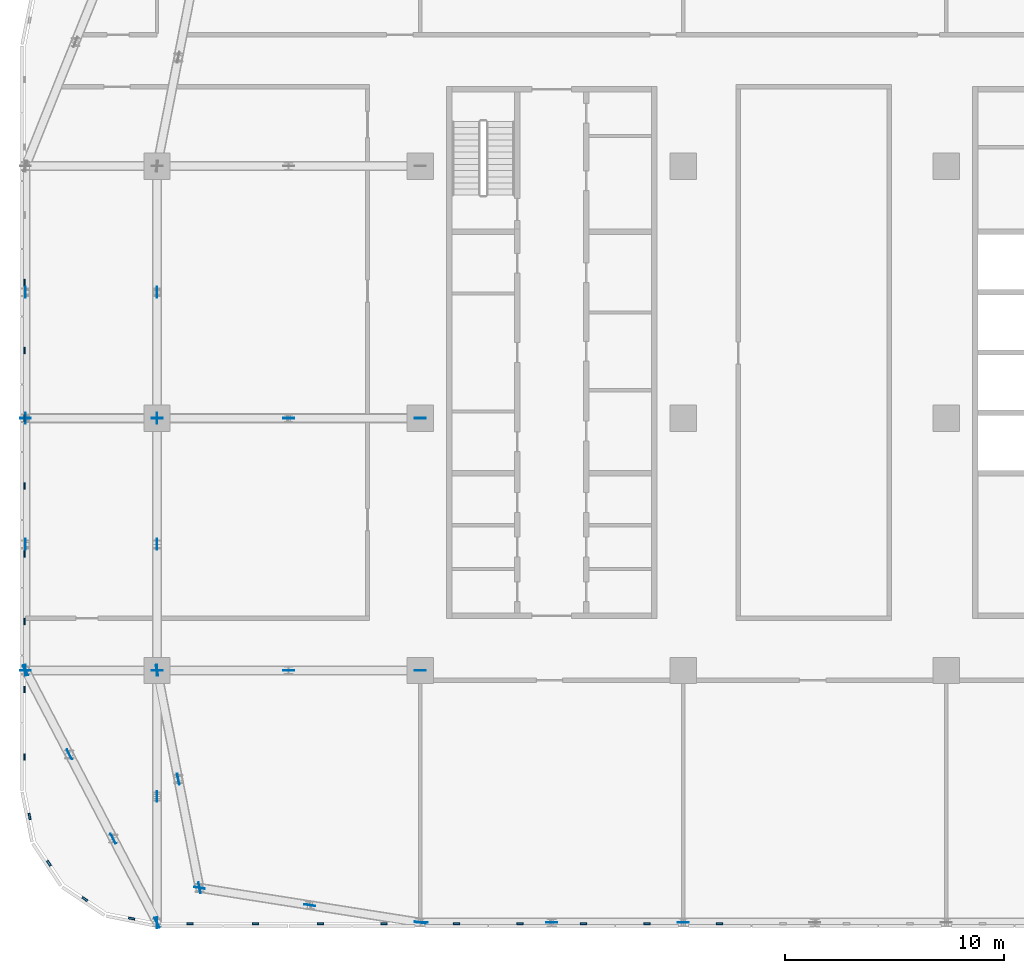
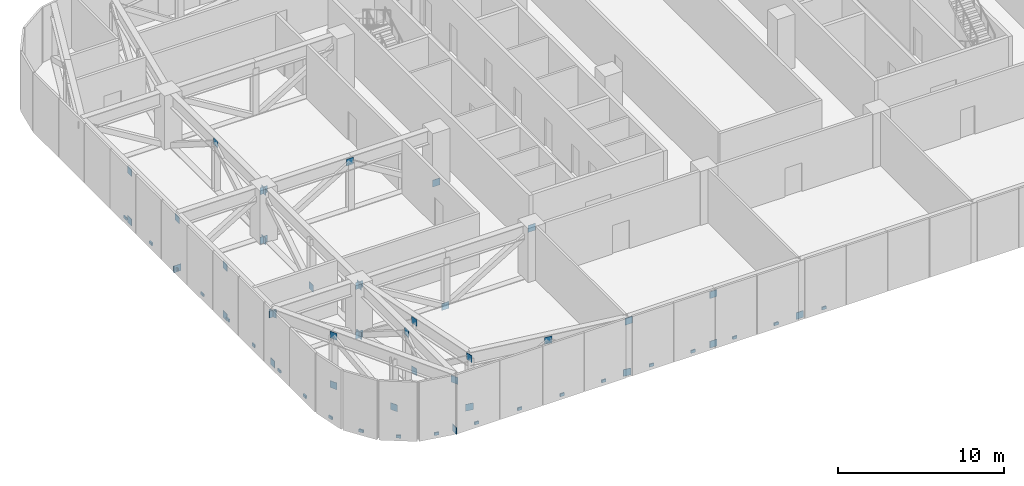
# One storey, part 14 of 26: 61 discrete accessories.
"""IFC4 building model written with IfcOpenShell, lengths in metres."""

from ifc_helpers import new_model, si_unit, direction, frame, origin, origin_2d, place, context, subcontext, project, spatial, rectangle, extrude, material, layer, layer_set, type_object, element, save


model = new_model("IFC4")

# Units and contexts
model_context = context("Model", 3, precision=1e-05, world=origin(), true_north=direction((0.0, 1.0)))
body_context = subcontext(model_context, "Body", "Model", "MODEL_VIEW")
ifc_project = project(units=[si_unit("LENGTHUNIT", "METRE"), si_unit("AREAUNIT", "SQUARE_METRE"), si_unit("VOLUMEUNIT", "CUBIC_METRE"), si_unit("PLANEANGLEUNIT", "RADIAN"), si_unit("MASSUNIT", "GRAM", prefix="KILO")], contexts=[model_context])

# Site, building, storey
site_placement = place(None, origin())
site = spatial("IfcSite", under=ifc_project, at=site_placement, CompositionType="ELEMENT")
building_placement = place(site_placement, origin())
building = spatial("IfcBuilding", under=site, at=building_placement, Name="Mahtab Terrace Research Tower", CompositionType="ELEMENT")
storey_placement = place(building_placement, frame((0.0, 0.0, 189.60009765625)))
storey = spatial("IfcBuildingStorey", under=building, at=storey_placement, Name="L45", CompositionType="ELEMENT", Elevation=189.60009765625)

# Discrete accessories
ifc_material_1 = material(Name="Black anodised aluminium", Category="aluminium")
discrete_accessory_type_1 = type_object("IfcDiscreteAccessoryType", Name="Facade bracket", PredefinedType="BRACKET", material=ifc_material_1)
for number, where, z_axis, x_axis, name in (
    (1, (-48.044921875, 6.181884765625, -0.30029296875), (0.0, 0.0, 1.0), (0.0, -1.0, 0.0), "Louvre bracket L45 60"),
    (2, (-48.044921875, 3.0908203125, -0.30029296875), (0.0, 0.0, 1.0), (0.0, -1.0, 0.0), "Louvre bracket L45 61"),
    (3, (-48.044921875, 0.0, -0.30029296875), (0.0, 0.0, 1.0), (0.0, -1.0, 0.0), "Louvre bracket L45 62"),
    (4, (-48.044921875, -3.0908203125, -0.30029296875), (0.0, 0.0, 1.0), (0.0, -1.0, 0.0), "Louvre bracket L45 63"),
    (5, (-48.044921875, -6.181884765625, -0.30029296875), (0.0, 0.0, 1.0), (0.0, -1.0, 0.0), "Louvre bracket L45 64"),
    (6, (-48.044921875, -9.272705078125, -0.30029296875), (0.0, 0.0, 1.0), (0.0, -1.0, 0.0), "Louvre bracket L45 65"),
    (7, (-48.044921875, -12.363525390625, -0.30029296875), (0.0, 0.0, 1.0), (0.0, -1.0, 0.0), "Louvre bracket L45 66"),
    (8, (-48.044921875, -15.45458984375, -0.30029296875), (0.0, 0.0, 1.0), (0.0, -1.0, 0.0), "Louvre bracket L45 67"),
    (9, (-47.815673828125, -18.15673828125, -0.30029296875), (0.0, 0.0, 1.0), (0.195212442692, -0.980760981187, 0.0), "Louvre bracket L45 68"),
    (10, (-46.930419921875, -20.29443359375, -0.30029296875), (0.0, 0.0, 1.0), (0.555291490808, -0.831655794326, 0.0), "Louvre bracket L45 69"),
    (11, (-45.29443359375, -21.930419921875, -0.30029296875), (0.0, 0.0, 1.0), (0.831655794326, -0.555291490808, 0.0), "Louvre bracket L45 70"),
    (12, (-43.15673828125, -22.815673828125, -0.30029296875), (0.0, 0.0, 1.0), (0.980760981187, -0.195212442692, 0.0), "Louvre bracket L45 71"),
    (13, (-40.5, -23.044921875, -0.30029296875), (0.0, 0.0, 1.0), (1.0, 0.0, 0.0), "Louvre bracket L45 72"),
    (14, (-37.5, -23.044921875, -0.30029296875), (0.0, 0.0, 1.0), (1.0, 0.0, 0.0), "Louvre bracket L45 73"),
    (15, (-34.552001953125, -23.044921875, -0.30029296875), (0.0, 0.0, 1.0), (1.0, 0.0, 0.0), "Louvre bracket L45 74"),
    (16, (-31.656005859375, -23.044921875, -0.30029296875), (0.0, 0.0, 1.0), (1.0, 0.0, 0.0), "Louvre bracket L45 75"),
    (17, (-28.343994140625, -23.044921875, -0.30029296875), (0.0, 0.0, 1.0), (1.0, 0.0, 0.0), "Louvre bracket L45 76"),
    (18, (-25.447998046875, -23.044921875, -0.30029296875), (0.0, 0.0, 1.0), (1.0, 0.0, 0.0), "Louvre bracket L45 77"),
    (19, (-22.552001953125, -23.044921875, -0.30029296875), (0.0, 0.0, 1.0), (1.0, 0.0, 0.0), "Louvre bracket L45 78"),
    (20, (-19.656005859375, -23.044921875, -0.30029296875), (0.0, 0.0, 1.0), (1.0, 0.0, 0.0), "Louvre bracket L45 79"),
    (21, (-16.343994140625, -23.044921875, -0.30029296875), (0.0, 0.0, 1.0), (1.0, 0.0, 0.0), "Louvre bracket L45 80"),
):
    element("IfcDiscreteAccessory", number, at=place(storey_placement, frame(where, z_axis=z_axis, x_axis=x_axis)), inside=storey, type_object=discrete_accessory_type_1, Name=name, PredefinedType="BRACKET", context=body_context, shape_type="SweptSolid", body=[
        extrude(rectangle(XDim=0.300048828125, YDim=0.090087890625, at=origin_2d()), origin(), (0.0, 0.0, 1.0), 0.199951171875),
    ])
ifc_material_2 = material(Name="Steel ASTM A992 Gr 50", Category="steel")
ifc_layer = layer(ifc_material_2, 0.030029296875)
ifc_layer_set = layer_set([ifc_layer], Name="Gusset plate 500x500x30")
discrete_accessory_type_2 = type_object("IfcDiscreteAccessoryType", Name="Gusset plate 500x500x30", PredefinedType="USERDEFINED", material=ifc_layer_set)
for number, where, z_axis, x_axis, name in (
    (22, (-48.0, -11.5, 3.20947265625), (0.0, 0.0, 1.0), (1.0, 0.0, 0.0), "Gusset plate"),
    (23, (-48.0, 0.0, -0.427978515625), (0.0, 0.0, 1.0), (1.0, 0.0, 0.0), "Gusset plate"),
    (24, (-42.0, -11.5, -0.427978515625), (0.0, 0.0, 1.0), (1.0, 0.0, 0.0), "Gusset plate"),
    (25, (-42.0, -11.5, 3.20947265625), (0.0, 0.0, 1.0), (1.0, 0.0, 0.0), "Gusset plate"),
    (26, (-42.0, 0.0, -0.427978515625), (0.0, 0.0, 1.0), (1.0, 0.0, 0.0), "Gusset plate"),
    (27, (-42.0, 0.0, 3.20947265625), (0.0, 0.0, 1.0), (1.0, 0.0, 0.0), "Gusset plate"),
    (28, (-36.0, -11.5, -0.427978515625), (0.0, 0.0, 1.0), (1.0, 0.0, 0.0), "Gusset plate"),
    (29, (-36.0, 0.0, 3.20947265625), (0.0, 0.0, 1.0), (1.0, 0.0, 0.0), "Gusset plate"),
    (30, (-29.899658203125, -23.0, 3.322021484375), (0.0, 0.0, 1.0), (1.0, 0.0, 0.0), "Gusset plate"),
    (31, (-30.0, -11.5, 3.20947265625), (0.0, 0.0, 1.0), (1.0, 0.0, 0.0), "Gusset plate"),
    (32, (-30.0, 0.0, -0.427978515625), (0.0, 0.0, 1.0), (1.0, 0.0, 0.0), "Gusset plate"),
    (33, (-24.0, -23.0, -0.427978515625), (0.0, 0.0, 1.0), (1.0, 0.0, 0.0), "Gusset plate"),
    (34, (-24.0, -23.0, 3.20947265625), (0.0, 0.0, 1.0), (1.0, 0.0, 0.0), "Gusset plate"),
    (35, (-18.0, -23.0, -0.427978515625), (0.0, 0.0, 1.0), (1.0, 0.0, 0.0), "Gusset plate"),
    (36, (-48.0, -11.5, -0.427978515625), (0.0, 0.0, 1.0), (0.0, 1.0, 0.0), "Gusset plate"),
    (37, (-48.0, -5.75, -0.427978515625), (0.0, 0.0, 1.0), (0.0, 1.0, 0.0), "Gusset plate"),
    (38, (-48.0, -5.75, 3.20947265625), (0.0, 0.0, 1.0), (0.0, 1.0, 0.0), "Gusset plate"),
    (39, (-48.0, 0.0, 3.20947265625), (0.0, 0.0, 1.0), (0.0, 1.0, 0.0), "Gusset plate"),
    (40, (-48.0, 5.75, -0.427978515625), (0.0, 0.0, 1.0), (0.0, 1.0, 0.0), "Gusset plate"),
    (41, (-48.0, 5.75, 3.20947265625), (0.0, 0.0, 1.0), (0.0, 1.0, 0.0), "Gusset plate"),
    (42, (-42.0, -23.0, -0.427978515625), (0.0, 0.0, 1.0), (0.0, 1.0, 0.0), "Gusset plate"),
    (43, (-42.0, -17.25, 3.20947265625), (0.0, 0.0, 1.0), (0.0, 1.0, 0.0), "Gusset plate"),
    (44, (-42.0, -11.5, -0.427978515625), (0.0, 0.0, 1.0), (0.0, 1.0, 0.0), "Gusset plate"),
    (45, (-42.0, -11.5, 3.20947265625), (0.0, 0.0, 1.0), (0.0, 1.0, 0.0), "Gusset plate"),
    (46, (-42.0, -5.75, -0.427978515625), (0.0, 0.0, 1.0), (0.0, 1.0, 0.0), "Gusset plate"),
    (47, (-42.0, 0.0, -0.427978515625), (0.0, 0.0, 1.0), (0.0, 1.0, 0.0), "Gusset plate"),
    (48, (-42.0, 0.0, 3.20947265625), (0.0, 0.0, 1.0), (0.0, 1.0, 0.0), "Gusset plate"),
    (49, (-42.0, 5.75, 3.20947265625), (0.0, 0.0, 1.0), (0.0, 1.0, 0.0), "Gusset plate"),
    (50, (-42.0, -11.5, -0.427978515625), (0.0, 0.0, 1.0), (-0.19181971899, 0.981430178569, 0.0), "Gusset plate"),
    (51, (-41.031005859375, -16.4580078125, -0.427978515625), (0.0, 0.0, 1.0), (-0.19181971899, 0.981430178569, 0.0), "Gusset plate"),
    (52, (-41.031005859375, -16.4580078125, 3.20947265625), (0.0, 0.0, 1.0), (-0.19181971899, 0.981430178569, 0.0), "Gusset plate"),
    (53, (-40.06201171875, -21.416015625, 3.20947265625), (0.0, 0.0, 1.0), (-0.19181971899, 0.981430178569, 0.0), "Gusset plate"),
    (54, (-48.0, -11.5, 3.20947265625), (0.0, 0.0, 1.0), (-0.462599869636, 0.886567177721, 0.0), "Gusset plate"),
    (55, (-46.0, -15.3330078125, -0.427978515625), (0.0, 0.0, 1.0), (-0.462599869636, 0.886567177721, 0.0), "Gusset plate"),
    (56, (-46.0, -15.3330078125, 3.20947265625), (0.0, 0.0, 1.0), (-0.462507026002, 0.886615616205, 0.0), "Gusset plate"),
    (57, (-44.0, -19.1669921875, -0.427978515625), (0.0, 0.0, 1.0), (-0.462507026002, 0.886615616205, 0.0), "Gusset plate"),
    (58, (-42.0, -23.0, 3.20947265625), (0.0, 0.0, 1.0), (-0.462599869636, 0.886567177721, 0.0), "Gusset plate"),
    (59, (-40.06201171875, -21.416015625, -0.427978515625), (0.0, 0.0, 1.0), (-0.987835337919, 0.15550352137, 0.0), "Gusset plate"),
    (60, (-35.031005859375, -22.2080078125, 3.20947265625), (0.0, 0.0, 1.0), (-0.987835337919, 0.15550352137, 0.0), "Gusset plate"),
    (61, (-30.0, -23.0, -0.427978515625), (0.0, 0.0, 1.0), (-0.987835337919, 0.15550352137, 0.0), "Gusset plate"),
):
    element("IfcDiscreteAccessory", number, at=place(storey_placement, frame(where, z_axis=z_axis, x_axis=x_axis)), inside=storey, type_object=discrete_accessory_type_2, Name=name, ObjectType="GUSSET PLATE", PredefinedType="USERDEFINED", context=body_context, shape_type="SweptSolid", body=[
        extrude(rectangle(XDim=0.5, YDim=0.030029296875, at=origin_2d()), origin(), (0.0, 0.0, 1.0), 0.5),
    ])

save(model, "model.ifc")
